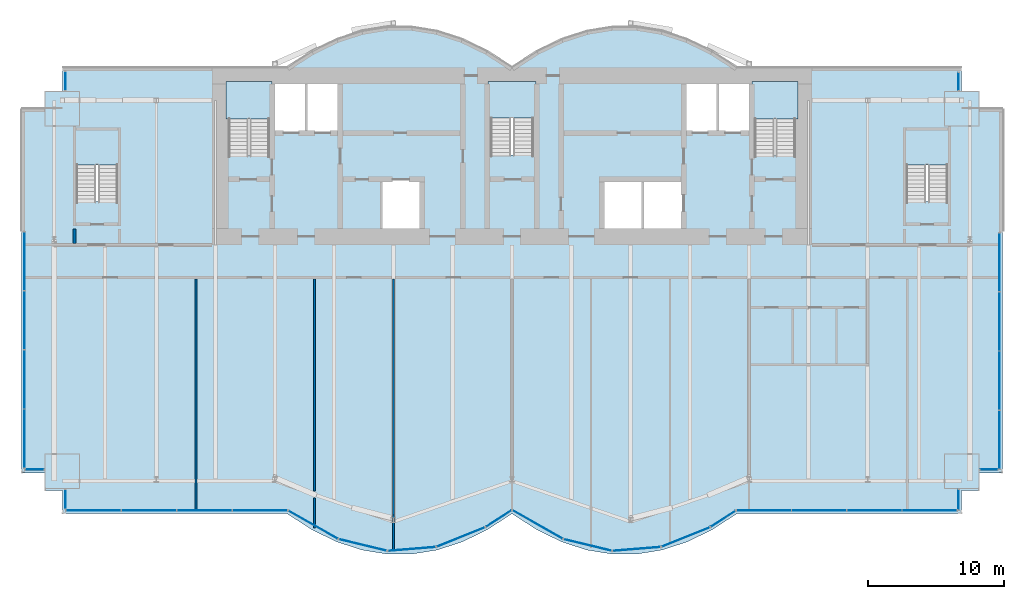
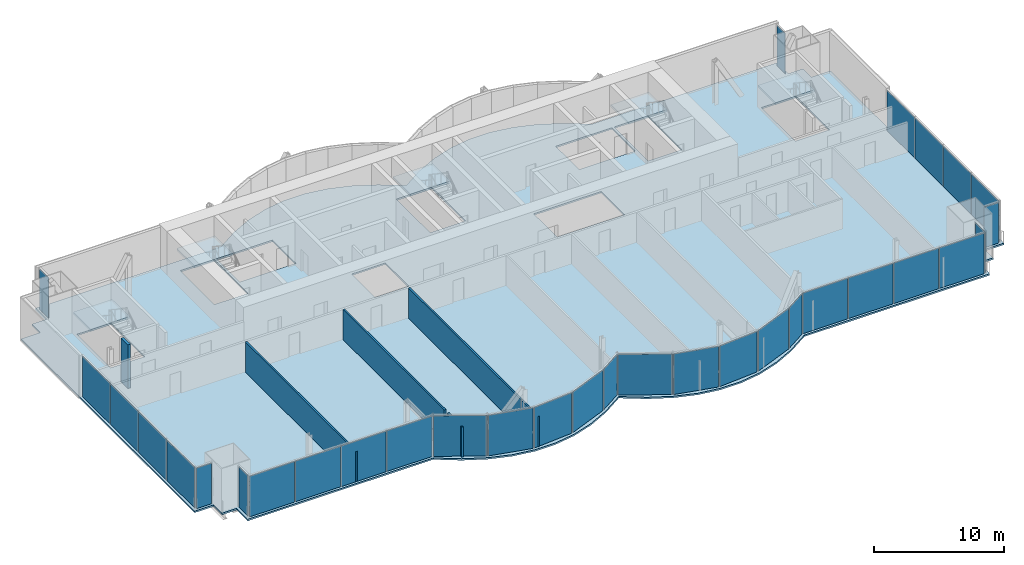
# One storey, part 13 of 20: 32 plates, 6 slabs, 6 walls, 17 elements without a shape of their own.
"""IFC4 building model written with IfcOpenShell, lengths in metres."""

from ifc_helpers import new_model, si_unit, direction, frame, frame_2d, origin, origin_2d, place, context, subcontext, project, spatial, polyline, rectangle, outline, extrude, material, layer, layer_set, type_object, element, aggregate, save


model = new_model("IFC4")

# Units and contexts
model_context = context("Model", 3, precision=1e-05, world=origin(), true_north=direction((0.0, 1.0)))
body_context = subcontext(model_context, "Body", "Model", "MODEL_VIEW")
ifc_project = project(units=[si_unit("LENGTHUNIT", "METRE"), si_unit("AREAUNIT", "SQUARE_METRE"), si_unit("VOLUMEUNIT", "CUBIC_METRE"), si_unit("PLANEANGLEUNIT", "RADIAN"), si_unit("MASSUNIT", "GRAM", prefix="KILO")], contexts=[model_context])

# Site, building, storey
site_placement = place(None, origin())
site = spatial("IfcSite", under=ifc_project, at=site_placement, CompositionType="ELEMENT")
building_placement = place(site_placement, origin())
building = spatial("IfcBuilding", under=site, at=building_placement, Name="Bicima Exchange Tower", CompositionType="ELEMENT")
storey_placement = place(building_placement, frame((0.0, 0.0, 199.10009765625)))
storey = spatial("IfcBuildingStorey", under=building, at=storey_placement, Name="L44", CompositionType="ELEMENT", Elevation=199.10009765625)

# Slab
ifc_material_1 = material(Name="Concrete C40/50", Category="concrete")
ifc_layer_1 = layer(ifc_material_1, 0.14990234375)
ifc_layer_set_1 = layer_set([ifc_layer_1], Name="Concrete C40/50")
slab_type_1 = type_object("IfcSlabType", Name="Composite floor slab 150", PredefinedType="FLOOR", material=ifc_layer_set_1)
slab_1_placement = place(storey_placement, frame((0.0, 0.0, -0.150146484375)))
element("IfcSlab", 1, at=slab_1_placement, inside=storey, type_object=slab_type_1, Name="Floor slab", PredefinedType="FLOOR", context=body_context, shape_type="SweptSolid", body=[
    extrude(outline(polyline([(-36.0, -29.72802734375), (-36.0, -3.0), (-34.300048828125, -3.0), (-34.300048828125, -1.699951171875), (-33.0, -1.699951171875), (-33.0, 0.0), (-16.5, 0.0), (-14.666748046875, 1.185302734375), (-12.833251953125, 2.07421875), (-11.0, 2.666748046875), (-9.166748046875, 2.962890625), (-7.333251953125, 2.962890625), (-5.5, 2.666748046875), (-3.666748046875, 2.07421875), (-1.833251953125, 1.185302734375), (0.0, 0.0), (1.833251953125, 1.185302734375), (3.666748046875, 2.07421875), (5.5, 2.666748046875), (7.333251953125, 2.962890625), (9.166748046875, 2.962890625), (11.0, 2.666748046875), (12.833251953125, 2.07421875), (14.666748046875, 1.185302734375), (16.5, 0.0), (33.0, 0.0), (33.0, -1.699951171875), (34.300048828125, -1.699951171875), (34.300048828125, -3.0), (36.0, -3.0), (36.0, -29.72802734375), (34.300048828125, -29.72802734375), (34.300048828125, -31.028076171875), (33.0, -31.028076171875), (33.0, -32.72802734375), (16.5, -32.72802734375), (14.666748046875, -33.9130859375), (12.833251953125, -34.802001953125), (11.0, -35.394775390625), (9.166748046875, -35.69091796875), (7.333251953125, -35.69091796875), (5.5, -35.394775390625), (3.666748046875, -34.802001953125), (1.833251953125, -33.9130859375), (0.0, -32.72802734375), (-1.833251953125, -33.9130859375), (-3.666748046875, -34.802001953125), (-5.5, -35.394775390625), (-7.333251953125, -35.69091796875), (-9.166748046875, -35.69091796875), (-11.0, -35.394775390625), (-12.833251953125, -34.802001953125), (-14.666748046875, -33.9130859375), (-16.5, -32.72802734375), (-33.0, -32.72802734375), (-33.0, -31.028076171875), (-34.300048828125, -31.028076171875), (-34.300048828125, -29.72802734375), (-36.0, -29.72802734375)]), holes=[polyline([(-6.60009765625, -11.800048828125), (-6.60009765625, -8.199951171875), (-9.60009765625, -8.199951171875), (-9.60009765625, -11.800048828125), (-6.60009765625, -11.800048828125)]), polyline([(-31.97509765625, -9.824951171875), (-28.925048828125, -9.824951171875), (-28.925048828125, -4.625), (-31.97509765625, -4.625), (-31.97509765625, -9.824951171875)]), polyline([(-20.800048828125, -6.449951171875), (-17.800048828125, -6.449951171875), (-17.800048828125, -1.199951171875), (-20.800048828125, -1.199951171875), (-20.800048828125, -6.449951171875)]), polyline([(1.574951171875, -6.39990234375), (1.574951171875, -1.199951171875), (-1.574951171875, -1.199951171875), (-1.574951171875, -6.39990234375), (1.574951171875, -6.39990234375)]), polyline([(-12.60009765625, -4.800048828125), (-12.60009765625, -1.199951171875), (-15.10009765625, -1.199951171875), (-17.60009765625, -1.199951171875), (-17.60009765625, -4.800048828125), (-15.10009765625, -4.800048828125), (-12.60009765625, -4.800048828125)]), polyline([(12.60009765625, -8.199951171875), (9.60009765625, -8.199951171875), (6.60009765625, -8.199951171875), (6.60009765625, -11.800048828125), (9.60009765625, -11.800048828125), (12.60009765625, -11.800048828125), (12.60009765625, -8.199951171875)]), polyline([(28.925048828125, -9.824951171875), (31.97509765625, -9.824951171875), (31.97509765625, -4.625), (28.925048828125, -4.625), (28.925048828125, -9.824951171875)]), polyline([(20.800048828125, -6.449951171875), (20.800048828125, -1.199951171875), (17.800048828125, -1.199951171875), (17.800048828125, -6.449951171875), (20.800048828125, -6.449951171875)]), polyline([(17.60009765625, -4.800048828125), (17.60009765625, -1.199951171875), (15.10009765625, -1.199951171875), (12.60009765625, -1.199951171875), (12.60009765625, -4.800048828125), (15.10009765625, -4.800048828125), (17.60009765625, -4.800048828125)])]), origin(), (0.0, 0.0, 1.0), 0.150146484375),
])

# Curtain wall, plates
ifc_material_2 = material(Name="Anodised bronze aluminium", Category="aluminium")
curtain_wall_type_1 = type_object("IfcCurtainWallType", Name="End face glass wall", PredefinedType="NOTDEFINED", material=ifc_material_2)
curtain_wall_1_placement = place(storey_placement, origin())
curtain_wall_1 = element("IfcCurtainWall", 2, at=curtain_wall_1_placement, inside=storey, type_object=curtain_wall_type_1, Name="End face glass wall L44 run 2", PredefinedType="NOTDEFINED")
ifc_material_3 = material(Name="Bronze tinted glass", Category="glass")
ifc_layer_2 = layer(ifc_material_3, 0.031982421875)
ifc_layer_set_2 = layer_set([ifc_layer_2], Name="Bronze tinted glass")
plate_type_1 = type_object("IfcPlateType", Name="End face glass wall glass panel 32", PredefinedType="CURTAIN_PANEL", material=ifc_layer_set_2)
plate_1_placement = place(storey_placement, frame((-35.77001953125, -14.19970703125, -0.000244140625), z_axis=(0.0, 0.0, 1.0), x_axis=(0.0, -1.0, 0.0)))
plate_1 = element("IfcPlate", 3, at=plate_1_placement, type_object=plate_type_1, Name="End face glass wall panel 1.1", PredefinedType="CURTAIN_PANEL", context=body_context, shape_type="SweptSolid", body=[
    extrude(rectangle(XDim=4.279541015625, YDim=0.031982421875, at=origin_2d()), origin(), (0.0, 0.0, 1.0), 3.81005859375),
])
plate_2_placement = place(storey_placement, frame((-35.77001953125, -18.539306640625, -0.000244140625), z_axis=(0.0, 0.0, 1.0), x_axis=(0.0, -1.0, 0.0)))
plate_2 = element("IfcPlate", 4, at=plate_2_placement, type_object=plate_type_1, Name="End face glass wall panel 2.1", PredefinedType="CURTAIN_PANEL", context=body_context, shape_type="SweptSolid", body=[
    extrude(rectangle(XDim=4.279541015625, YDim=0.031982421875, at=origin_2d()), origin(), (0.0, 0.0, 1.0), 3.81005859375),
])

curtain_wall_2_placement = place(storey_placement, origin())
curtain_wall_2 = element("IfcCurtainWall", 5, at=curtain_wall_2_placement, inside=storey, type_object=curtain_wall_type_1, Name="End face glass wall L44 run 19", PredefinedType="NOTDEFINED")
plate_3_placement = place(storey_placement, frame((35.77001953125, -18.619384765625, -0.000244140625), z_axis=(0.0, 0.0, 1.0), x_axis=(0.0, 1.0, 0.0)))
plate_3 = element("IfcPlate", 6, at=plate_3_placement, type_object=plate_type_1, Name="End face glass wall panel 3.1", PredefinedType="CURTAIN_PANEL", context=body_context, shape_type="SweptSolid", body=[
    extrude(rectangle(XDim=4.279541015625, YDim=0.031982421875, at=origin_2d()), origin(), (0.0, 0.0, 1.0), 3.81005859375),
])
plate_4_placement = place(storey_placement, frame((35.77001953125, -14.27978515625, -0.000244140625), z_axis=(0.0, 0.0, 1.0), x_axis=(0.0, 1.0, 0.0)))
plate_4 = element("IfcPlate", 7, at=plate_4_placement, type_object=plate_type_1, Name="End face glass wall panel 4.1", PredefinedType="CURTAIN_PANEL", context=body_context, shape_type="SweptSolid", body=[
    extrude(rectangle(XDim=4.279541015625, YDim=0.031982421875, at=origin_2d()), origin(), (0.0, 0.0, 1.0), 3.81005859375),
])

# Plate
ifc_material_4 = material(Name="Bronze anodised aluminium", Category="aluminium")
ifc_layer_3 = layer(ifc_material_4, 0.031982421875)
ifc_layer_set_3 = layer_set([ifc_layer_3], Name="Bronze anodised aluminium")
plate_type_2 = type_object("IfcPlateType", Name="End face glass wall spandrel panel 32", PredefinedType="CURTAIN_PANEL", material=ifc_layer_set_3)
plate_5_placement = place(storey_placement, frame((-35.77001953125, -22.87890625, -0.000244140625), z_axis=(0.0, 0.0, 1.0), x_axis=(0.0, -1.0, 0.0)))
plate_5 = element("IfcPlate", 8, at=plate_5_placement, type_object=plate_type_2, Name="End face spandrel wall panel 3.1", PredefinedType="CURTAIN_PANEL", context=body_context, shape_type="SweptSolid", body=[
    extrude(rectangle(XDim=4.279541015625, YDim=0.031982421875, at=origin_2d()), origin(), (0.0, 0.0, 1.0), 3.81005859375),
])

plate_6_placement = place(storey_placement, frame((-35.77001953125, -27.21826171875, -0.000244140625), z_axis=(0.0, 0.0, 1.0), x_axis=(0.0, -1.0, 0.0)))
plate_6 = element("IfcPlate", 9, at=plate_6_placement, type_object=plate_type_2, Name="End face spandrel wall panel 4.1", PredefinedType="CURTAIN_PANEL", context=body_context, shape_type="SweptSolid", body=[
    extrude(rectangle(XDim=4.279541015625, YDim=0.031982421875, at=origin_2d()), origin(), (0.0, 0.0, 1.0), 3.81005859375),
])

aggregate(curtain_wall_1, [plate_1, plate_2, plate_5, plate_6])

plate_7_placement = place(storey_placement, frame((35.77001953125, -27.29833984375, -0.000244140625), z_axis=(0.0, 0.0, 1.0), x_axis=(0.0, 1.0, 0.0)))
plate_7 = element("IfcPlate", 10, at=plate_7_placement, type_object=plate_type_2, Name="End face spandrel wall panel 1.1", PredefinedType="CURTAIN_PANEL", context=body_context, shape_type="SweptSolid", body=[
    extrude(rectangle(XDim=4.279541015625, YDim=0.031982421875, at=origin_2d()), origin(), (0.0, 0.0, 1.0), 3.81005859375),
])

plate_8_placement = place(storey_placement, frame((35.77001953125, -22.958740234375, -0.000244140625), z_axis=(0.0, 0.0, 1.0), x_axis=(0.0, 1.0, 0.0)))
plate_8 = element("IfcPlate", 11, at=plate_8_placement, type_object=plate_type_2, Name="End face spandrel wall panel 2.1", PredefinedType="CURTAIN_PANEL", context=body_context, shape_type="SweptSolid", body=[
    extrude(rectangle(XDim=4.279541015625, YDim=0.031982421875, at=origin_2d()), origin(), (0.0, 0.0, 1.0), 3.81005859375),
])

aggregate(curtain_wall_2, [plate_7, plate_8, plate_3, plate_4])

# Curtain wall, plate
curtain_wall_type_2 = type_object("IfcCurtainWallType", Name="Front glass wall", PredefinedType="NOTDEFINED", material=ifc_material_2)
curtain_wall_3_placement = place(storey_placement, origin())
curtain_wall_3 = element("IfcCurtainWall", 12, at=curtain_wall_3_placement, inside=storey, type_object=curtain_wall_type_2, Name="Front glass wall L44 run 1", PredefinedType="NOTDEFINED")
ifc_layer_4 = layer(ifc_material_3, 0.031982421875)
ifc_layer_set_4 = layer_set([ifc_layer_4], Name="Bronze tinted glass")
plate_type_3 = type_object("IfcPlateType", Name="Front glass wall glass panel 32", PredefinedType="CURTAIN_PANEL", material=ifc_layer_set_4)
plate_9_placement = place(storey_placement, frame((-32.77001953125, -0.965087890625, -0.000244140625), z_axis=(0.0, 0.0, 1.0), x_axis=(0.0, -1.0, 0.0)))
plate_9 = element("IfcPlate", 13, at=plate_9_placement, type_object=plate_type_3, Name="Front glass wall panel 1.1", PredefinedType="CURTAIN_PANEL", context=body_context, shape_type="SweptSolid", body=[
    extrude(rectangle(XDim=1.35009765625, YDim=0.031982421875, at=origin_2d()), origin(), (0.0, 0.0, 1.0), 3.81005859375),
])
aggregate(curtain_wall_3, [plate_9])

curtain_wall_4_placement = place(storey_placement, origin())
curtain_wall_4 = element("IfcCurtainWall", 14, at=curtain_wall_4_placement, inside=storey, type_object=curtain_wall_type_2, Name="Front glass wall L44 run 3", PredefinedType="NOTDEFINED")
plate_10_placement = place(storey_placement, frame((-35.034912109375, -29.498046875, -0.000244140625), z_axis=(0.0, 0.0, 1.0), x_axis=(1.0, 0.0, 0.0)))
plate_10 = element("IfcPlate", 15, at=plate_10_placement, type_object=plate_type_3, Name="Front glass wall panel 1.1", PredefinedType="CURTAIN_PANEL", context=body_context, shape_type="SweptSolid", body=[
    extrude(rectangle(XDim=1.35009765625, YDim=0.031982421875, at=origin_2d()), origin(), (0.0, 0.0, 1.0), 3.81005859375),
])
aggregate(curtain_wall_4, [plate_10])

curtain_wall_5_placement = place(storey_placement, origin())
curtain_wall_5 = element("IfcCurtainWall", 16, at=curtain_wall_5_placement, inside=storey, type_object=curtain_wall_type_2, Name="Front glass wall L44 run 4", PredefinedType="NOTDEFINED")
plate_11_placement = place(storey_placement, frame((-32.77001953125, -31.662109375, -0.000244140625), z_axis=(0.0, 0.0, 1.0), x_axis=(0.0, -1.0, 0.0)))
plate_11 = element("IfcPlate", 17, at=plate_11_placement, type_object=plate_type_3, Name="Front glass wall panel 1.1", PredefinedType="CURTAIN_PANEL", context=body_context, shape_type="SweptSolid", body=[
    extrude(rectangle(XDim=1.39208984375, YDim=0.031982421875, at=origin_2d()), origin(), (0.0, 0.0, 1.0), 3.81005859375),
])
aggregate(curtain_wall_5, [plate_11])

# Curtain wall, plates
curtain_wall_6_placement = place(storey_placement, origin())
curtain_wall_6 = element("IfcCurtainWall", 18, at=curtain_wall_6_placement, inside=storey, type_object=curtain_wall_type_2, Name="Front glass wall L44 run 5", PredefinedType="NOTDEFINED")
plate_12_placement = place(storey_placement, frame((-30.705322265625, -32.498046875, -0.000244140625), z_axis=(0.0, 0.0, 1.0), x_axis=(1.0, 0.0, 0.0)))
plate_12 = element("IfcPlate", 19, at=plate_12_placement, type_object=plate_type_3, Name="Front glass wall panel 1.1", PredefinedType="CURTAIN_PANEL", context=body_context, shape_type="SweptSolid", body=[
    extrude(rectangle(XDim=4.009521484375, YDim=0.031982421875, at=origin_2d()), origin(), (0.0, 0.0, 1.0), 3.81005859375),
])
plate_13_placement = place(storey_placement, frame((-22.56640625, -32.498046875, -0.000244140625), z_axis=(0.0, 0.0, 1.0), x_axis=(1.0, 0.0, 0.0)))
plate_13 = element("IfcPlate", 20, at=plate_13_placement, type_object=plate_type_3, Name="Front glass wall panel 3.1", PredefinedType="CURTAIN_PANEL", context=body_context, shape_type="SweptSolid", body=[
    extrude(rectangle(XDim=4.009521484375, YDim=0.031982421875, at=origin_2d()), origin(), (0.0, 0.0, 1.0), 3.81005859375),
])
plate_14_placement = place(storey_placement, frame((-18.496826171875, -32.498046875, -0.000244140625), z_axis=(0.0, 0.0, 1.0), x_axis=(1.0, 0.0, 0.0)))
plate_14 = element("IfcPlate", 21, at=plate_14_placement, type_object=plate_type_3, Name="Front glass wall panel 4.1", PredefinedType="CURTAIN_PANEL", context=body_context, shape_type="SweptSolid", body=[
    extrude(rectangle(XDim=4.009521484375, YDim=0.031982421875, at=origin_2d()), origin(), (0.0, 0.0, 1.0), 3.81005859375),
])

curtain_wall_7_placement = place(storey_placement, origin())
curtain_wall_7 = element("IfcCurtainWall", 22, at=curtain_wall_7_placement, inside=storey, type_object=curtain_wall_type_2, Name="Front glass wall L44 run 6", PredefinedType="NOTDEFINED")
plate_15_placement = place(storey_placement, frame((-14.589599609375, -33.543212890625, -0.000244140625), z_axis=(0.0, 0.0, 1.0), x_axis=(0.869805110681, -0.493395449343, 0.0)))
plate_15 = element("IfcPlate", 23, at=plate_15_placement, type_object=plate_type_3, Name="Front glass wall panel 1.1", PredefinedType="CURTAIN_PANEL", context=body_context, shape_type="SweptSolid", body=[
    extrude(rectangle(XDim=4.1162109375, YDim=0.031982421875, at=origin_2d()), origin(), (0.0, 0.0, 1.0), 3.81005859375),
])
plate_16_placement = place(storey_placement, frame((-10.94775390625, -35.024658203125, -0.000244140625), z_axis=(0.0, 0.0, 1.0), x_axis=(0.971830343553, -0.235681529503, 0.0)))
plate_16 = element("IfcPlate", 24, at=plate_16_placement, type_object=plate_type_3, Name="Front glass wall panel 1.1", PredefinedType="CURTAIN_PANEL", context=body_context, shape_type="SweptSolid", body=[
    extrude(rectangle(XDim=3.583251953125, YDim=0.031982421875, at=origin_2d()), origin(), (0.0, 0.0, 1.0), 3.81005859375),
])
plate_17_placement = place(storey_placement, frame((-3.750244140625, -34.44140625, -0.000244140625), z_axis=(0.0, 0.0, 1.0), x_axis=(0.92714396679, 0.374705304, 0.0)))
plate_17 = element("IfcPlate", 25, at=plate_17_placement, type_object=plate_type_3, Name="Front glass wall panel 1.1", PredefinedType="CURTAIN_PANEL", context=body_context, shape_type="SweptSolid", body=[
    extrude(rectangle(XDim=3.771240234375, YDim=0.031982421875, at=origin_2d()), origin(), (0.0, 0.0, 1.0), 3.81005859375),
])
plate_18_placement = place(storey_placement, frame((-0.97314453125, -33.083251953125, -0.000244140625), z_axis=(0.0, 0.0, 1.0), x_axis=(0.839798994301, 0.542897457326, 0.0)))
plate_18 = element("IfcPlate", 26, at=plate_18_placement, type_object=plate_type_3, Name="Front glass wall panel 1.1", PredefinedType="CURTAIN_PANEL", context=body_context, shape_type="SweptSolid", body=[
    extrude(rectangle(XDim=2.197509765625, YDim=0.031982421875, at=origin_2d()), origin(), (0.0, 0.0, 1.0), 3.81005859375),
])

curtain_wall_8_placement = place(storey_placement, origin())
curtain_wall_8 = element("IfcCurtainWall", 27, at=curtain_wall_8_placement, inside=storey, type_object=curtain_wall_type_2, Name="Front glass wall L44 run 11", PredefinedType="NOTDEFINED")
plate_19_placement = place(storey_placement, frame((1.876220703125, -33.521240234375, -0.000244140625), z_axis=(0.0, 0.0, 1.0), x_axis=(0.869274147378, -0.494330311331, 0.0)))
plate_19 = element("IfcPlate", 28, at=plate_19_placement, type_object=plate_type_3, Name="Front glass wall panel 1.1", PredefinedType="CURTAIN_PANEL", context=body_context, shape_type="SweptSolid", body=[
    extrude(rectangle(XDim=4.197021484375, YDim=0.031982421875, at=origin_2d()), origin(), (0.0, 0.0, 1.0), 3.81005859375),
])
plate_20_placement = place(storey_placement, frame((12.749755859375, -34.44140625, -0.000244140625), z_axis=(0.0, 0.0, 1.0), x_axis=(0.92714396679, 0.374705304, 0.0)))
plate_20 = element("IfcPlate", 29, at=plate_20_placement, type_object=plate_type_3, Name="Front glass wall panel 1.1", PredefinedType="CURTAIN_PANEL", context=body_context, shape_type="SweptSolid", body=[
    extrude(rectangle(XDim=3.771240234375, YDim=0.031982421875, at=origin_2d()), origin(), (0.0, 0.0, 1.0), 3.81005859375),
])
plate_21_placement = place(storey_placement, frame((15.492919921875, -33.105224609375, -0.000244140625), z_axis=(0.0, 0.0, 1.0), x_axis=(0.839791413941, 0.542909183079, 0.0)))
plate_21 = element("IfcPlate", 30, at=plate_21_placement, type_object=plate_type_3, Name="Front glass wall panel 1.1", PredefinedType="CURTAIN_PANEL", context=body_context, shape_type="SweptSolid", body=[
    extrude(rectangle(XDim=2.11669921875, YDim=0.031982421875, at=origin_2d()), origin(), (0.0, 0.0, 1.0), 3.81005859375),
])

curtain_wall_9_placement = place(storey_placement, origin())
curtain_wall_9 = element("IfcCurtainWall", 31, at=curtain_wall_9_placement, inside=storey, type_object=curtain_wall_type_2, Name="Front glass wall L44 run 16", PredefinedType="NOTDEFINED")
plate_22_placement = place(storey_placement, frame((18.48681640625, -32.498046875, -0.000244140625), z_axis=(0.0, 0.0, 1.0), x_axis=(1.0, 0.0, 0.0)))
plate_22 = element("IfcPlate", 32, at=plate_22_placement, type_object=plate_type_3, Name="Front glass wall panel 1.1", PredefinedType="CURTAIN_PANEL", context=body_context, shape_type="SweptSolid", body=[
    extrude(rectangle(XDim=3.989501953125, YDim=0.031982421875, at=origin_2d()), origin(), (0.0, 0.0, 1.0), 3.81005859375),
])
plate_23_placement = place(storey_placement, frame((22.536376953125, -32.498046875, -0.000244140625), z_axis=(0.0, 0.0, 1.0), x_axis=(1.0, 0.0, 0.0)))
plate_23 = element("IfcPlate", 33, at=plate_23_placement, type_object=plate_type_3, Name="Front glass wall panel 2.1", PredefinedType="CURTAIN_PANEL", context=body_context, shape_type="SweptSolid", body=[
    extrude(rectangle(XDim=3.989501953125, YDim=0.031982421875, at=origin_2d()), origin(), (0.0, 0.0, 1.0), 3.81005859375),
])
plate_24_placement = place(storey_placement, frame((30.63525390625, -32.498046875, -0.000244140625), z_axis=(0.0, 0.0, 1.0), x_axis=(1.0, 0.0, 0.0)))
plate_24 = element("IfcPlate", 34, at=plate_24_placement, type_object=plate_type_3, Name="Front glass wall panel 4.1", PredefinedType="CURTAIN_PANEL", context=body_context, shape_type="SweptSolid", body=[
    extrude(rectangle(XDim=3.989501953125, YDim=0.031982421875, at=origin_2d()), origin(), (0.0, 0.0, 1.0), 3.81005859375),
])

# Curtain wall, plate
curtain_wall_10_placement = place(storey_placement, origin())
curtain_wall_10 = element("IfcCurtainWall", 35, at=curtain_wall_10_placement, inside=storey, type_object=curtain_wall_type_2, Name="Front glass wall L44 run 17", PredefinedType="NOTDEFINED")
plate_25_placement = place(storey_placement, frame((32.77001953125, -31.701904296875, -0.000244140625), z_axis=(0.0, 0.0, 1.0), x_axis=(0.0, 1.0, 0.0)))
plate_25 = element("IfcPlate", 36, at=plate_25_placement, type_object=plate_type_3, Name="Front glass wall panel 1.1", PredefinedType="CURTAIN_PANEL", context=body_context, shape_type="SweptSolid", body=[
    extrude(rectangle(XDim=1.471923828125, YDim=0.031982421875, at=origin_2d()), origin(), (0.0, 0.0, 1.0), 3.81005859375),
])
aggregate(curtain_wall_10, [plate_25])

curtain_wall_11_placement = place(storey_placement, origin())
curtain_wall_11 = element("IfcCurtainWall", 37, at=curtain_wall_11_placement, inside=storey, type_object=curtain_wall_type_2, Name="Front glass wall L44 run 18", PredefinedType="NOTDEFINED")
plate_26_placement = place(storey_placement, frame((34.9951171875, -29.498046875, -0.000244140625), z_axis=(0.0, 0.0, 1.0), x_axis=(1.0, 0.0, 0.0)))
plate_26 = element("IfcPlate", 38, at=plate_26_placement, type_object=plate_type_3, Name="Front glass wall panel 1.1", PredefinedType="CURTAIN_PANEL", context=body_context, shape_type="SweptSolid", body=[
    extrude(rectangle(XDim=1.27001953125, YDim=0.031982421875, at=origin_2d()), origin(), (0.0, 0.0, 1.0), 3.81005859375),
])
aggregate(curtain_wall_11, [plate_26])

curtain_wall_12_placement = place(storey_placement, origin())
curtain_wall_12 = element("IfcCurtainWall", 39, at=curtain_wall_12_placement, inside=storey, type_object=curtain_wall_type_2, Name="Front glass wall L44 run 20", PredefinedType="NOTDEFINED")
plate_27_placement = place(storey_placement, frame((32.77001953125, -1.0048828125, -0.000244140625), z_axis=(0.0, 0.0, 1.0), x_axis=(0.0, 1.0, 0.0)))
plate_27 = element("IfcPlate", 40, at=plate_27_placement, type_object=plate_type_3, Name="Front glass wall panel 1.1", PredefinedType="CURTAIN_PANEL", context=body_context, shape_type="SweptSolid", body=[
    extrude(rectangle(XDim=1.27001953125, YDim=0.031982421875, at=origin_2d()), origin(), (0.0, 0.0, 1.0), 3.81005859375),
])
aggregate(curtain_wall_12, [plate_27])

# Plate
ifc_layer_5 = layer(ifc_material_4, 0.031982421875)
ifc_layer_set_5 = layer_set([ifc_layer_5], Name="Bronze anodised aluminium")
plate_type_4 = type_object("IfcPlateType", Name="Front glass wall spandrel panel 32", PredefinedType="CURTAIN_PANEL", material=ifc_layer_set_5)
plate_28_placement = place(storey_placement, frame((-26.6357421875, -32.498046875, -0.000244140625), z_axis=(0.0, 0.0, 1.0), x_axis=(1.0, 0.0, 0.0)))
plate_28 = element("IfcPlate", 41, at=plate_28_placement, type_object=plate_type_4, Name="Front spandrel wall panel 2.1", PredefinedType="CURTAIN_PANEL", context=body_context, shape_type="SweptSolid", body=[
    extrude(rectangle(XDim=4.009521484375, YDim=0.031982421875, at=origin_2d()), origin(), (0.0, 0.0, 1.0), 3.81005859375),
])

aggregate(curtain_wall_6, [plate_12, plate_28, plate_13, plate_14])

plate_29_placement = place(storey_placement, frame((-7.35107421875, -35.315673828125, -0.000244140625), z_axis=(0.0, 0.0, 1.0), x_axis=(0.99674744821, 0.080588612633, 0.0)))
plate_29 = element("IfcPlate", 42, at=plate_29_placement, type_object=plate_type_4, Name="Front spandrel wall panel 1.1", PredefinedType="CURTAIN_PANEL", context=body_context, shape_type="SweptSolid", body=[
    extrude(rectangle(XDim=3.486083984375, YDim=0.031982421875, at=origin_2d()), origin(), (0.0, 0.0, 1.0), 3.81005859375),
])

aggregate(curtain_wall_7, [plate_15, plate_16, plate_29, plate_17, plate_18])

plate_30_placement = place(storey_placement, frame((5.55224609375, -35.024658203125, -0.000244140625), z_axis=(0.0, 0.0, 1.0), x_axis=(0.971830343553, -0.235681529503, 0.0)))
plate_30 = element("IfcPlate", 43, at=plate_30_placement, type_object=plate_type_4, Name="Front spandrel wall panel 1.1", PredefinedType="CURTAIN_PANEL", context=body_context, shape_type="SweptSolid", body=[
    extrude(rectangle(XDim=3.583251953125, YDim=0.031982421875, at=origin_2d()), origin(), (0.0, 0.0, 1.0), 3.81005859375),
])

plate_31_placement = place(storey_placement, frame((9.14892578125, -35.315673828125, -0.000244140625), z_axis=(0.0, 0.0, 1.0), x_axis=(0.99674744821, 0.080588612633, 0.0)))
plate_31 = element("IfcPlate", 44, at=plate_31_placement, type_object=plate_type_4, Name="Front spandrel wall panel 1.1", PredefinedType="CURTAIN_PANEL", context=body_context, shape_type="SweptSolid", body=[
    extrude(rectangle(XDim=3.486083984375, YDim=0.031982421875, at=origin_2d()), origin(), (0.0, 0.0, 1.0), 3.81005859375),
])

aggregate(curtain_wall_8, [plate_19, plate_30, plate_31, plate_20, plate_21])

plate_32_placement = place(storey_placement, frame((26.585693359375, -32.498046875, -0.000244140625), z_axis=(0.0, 0.0, 1.0), x_axis=(1.0, 0.0, 0.0)))
plate_32 = element("IfcPlate", 45, at=plate_32_placement, type_object=plate_type_4, Name="Front spandrel wall panel 3.1", PredefinedType="CURTAIN_PANEL", context=body_context, shape_type="SweptSolid", body=[
    extrude(rectangle(XDim=3.989501953125, YDim=0.031982421875, at=origin_2d()), origin(), (0.0, 0.0, 1.0), 3.81005859375),
])

aggregate(curtain_wall_9, [plate_22, plate_23, plate_32, plate_24])

# Stair, slab
ifc_material_5 = material(Name="Concrete C50/60", Category="concrete")
stair_type_1 = type_object("IfcStairType", Name="Exit stair", PredefinedType="HALF_TURN_STAIR", material=ifc_material_5)
stair_1_placement = place(storey_placement, origin())
stair_1 = element("IfcStair", 46, at=stair_1_placement, inside=storey, type_object=stair_type_1, Name="L44 West exit stair", PredefinedType="HALF_TURN_STAIR")
ifc_layer_6 = layer(ifc_material_5, 0.199951171875)
ifc_layer_set_6 = layer_set([ifc_layer_6], Name="Concrete C50/60")
slab_type_2 = type_object("IfcSlabType", Name="Stair landing slab", PredefinedType="LANDING", material=ifc_layer_set_6)
slab_2_placement = place(storey_placement, frame((0.0, 0.0, 1.849853515625)))
slab_2 = element("IfcSlab", 47, at=slab_2_placement, type_object=slab_type_2, Name="ST-W landing 1", PredefinedType="LANDING", context=body_context, shape_type="SweptSolid", body=[
    extrude(outline(polyline([(-17.60009765625, -3.75), (-17.60009765625, -1.0), (-21.0, -1.0), (-21.0, -3.75), (-17.60009765625, -3.75)])), origin(), (0.0, 0.0, 1.0), 0.199951171875),
])
aggregate(stair_1, [slab_2])

stair_type_2 = type_object("IfcStairType", Name="Exit stair 1500", PredefinedType="HALF_TURN_STAIR", material=ifc_material_5)
stair_2_placement = place(storey_placement, origin())
stair_2 = element("IfcStair", 48, at=stair_2_placement, inside=storey, type_object=stair_type_2, Name="L44 Central exit stair", PredefinedType="HALF_TURN_STAIR")
slab_3_placement = place(storey_placement, frame((0.0, 0.0, 1.849853515625)))
slab_3 = element("IfcSlab", 49, at=slab_3_placement, type_object=slab_type_2, Name="ST-C landing 1", PredefinedType="LANDING", context=body_context, shape_type="SweptSolid", body=[
    extrude(outline(polyline([(1.77490234375, -3.699951171875), (1.77490234375, -1.0), (-1.77490234375, -1.0), (-1.77490234375, -3.699951171875), (1.77490234375, -3.699951171875)])), origin(), (0.0, 0.0, 1.0), 0.199951171875),
])
aggregate(stair_2, [slab_3])

stair_3_placement = place(storey_placement, origin())
stair_3 = element("IfcStair", 50, at=stair_3_placement, inside=storey, type_object=stair_type_1, Name="L44 East exit stair", PredefinedType="HALF_TURN_STAIR")
slab_4_placement = place(storey_placement, frame((0.0, 0.0, 1.849853515625)))
slab_4 = element("IfcSlab", 51, at=slab_4_placement, type_object=slab_type_2, Name="ST-E landing 1", PredefinedType="LANDING", context=body_context, shape_type="SweptSolid", body=[
    extrude(outline(polyline([(21.0, -3.75), (21.0, -1.0), (17.60009765625, -1.0), (17.60009765625, -3.75), (21.0, -3.75)])), origin(), (0.0, 0.0, 1.0), 0.199951171875),
])
aggregate(stair_3, [slab_4])

stair_4_placement = place(storey_placement, origin())
stair_4 = element("IfcStair", 52, at=stair_4_placement, inside=storey, type_object=stair_type_1, Name="L44 West end exit stair", PredefinedType="HALF_TURN_STAIR")
slab_5_placement = place(storey_placement, frame((0.0, 0.0, 1.849853515625)))
slab_5 = element("IfcSlab", 53, at=slab_5_placement, type_object=slab_type_2, Name="ST-WW landing 1", PredefinedType="LANDING", context=body_context, shape_type="SweptSolid", body=[
    extrude(outline(polyline([(-28.72509765625, -7.125), (-28.72509765625, -4.425048828125), (-32.175048828125, -4.425048828125), (-32.175048828125, -7.125), (-28.72509765625, -7.125)])), origin(), (0.0, 0.0, 1.0), 0.199951171875),
])
aggregate(stair_4, [slab_5])

stair_5_placement = place(storey_placement, origin())
stair_5 = element("IfcStair", 54, at=stair_5_placement, inside=storey, type_object=stair_type_1, Name="L44 East end exit stair", PredefinedType="HALF_TURN_STAIR")
slab_6_placement = place(storey_placement, frame((0.0, 0.0, 1.849853515625)))
slab_6 = element("IfcSlab", 55, at=slab_6_placement, type_object=slab_type_2, Name="ST-EE landing 1", PredefinedType="LANDING", context=body_context, shape_type="SweptSolid", body=[
    extrude(outline(polyline([(32.175048828125, -7.125), (32.175048828125, -4.425048828125), (28.72509765625, -4.425048828125), (28.72509765625, -7.125), (32.175048828125, -7.125)])), origin(), (0.0, 0.0, 1.0), 0.199951171875),
])
aggregate(stair_5, [slab_6])

# Walls
ifc_material_6 = material(Name="Gypsum board partition")
ifc_layer_7 = layer(ifc_material_6, 0.14990234375)
ifc_layer_set_7 = layer_set([ifc_layer_7], Name="Gypsum board partition")
wall_type_1 = type_object("IfcWallType", Name="Gypsum partition 150", PredefinedType="PARTITIONING", material=ifc_layer_set_7)
wall_1_placement = place(storey_placement, frame((-23.199951171875, -32.52001953125, 0.0), z_axis=(0.0, 0.0, 1.0), x_axis=(0.0, 1.0, 0.0)))
element("IfcWall", 56, at=wall_1_placement, inside=storey, type_object=wall_type_1, Name="partition wall 12", PredefinedType="PARTITIONING", context=body_context, shape_type="SweptSolid", body=[
    extrude(rectangle(XDim=17.02001953125, YDim=0.14990234375, at=frame_2d((8.510009765625, 0.0))), origin(), (0.0, 0.0, 1.0), 2.840087890625),
])
wall_2_placement = place(storey_placement, frame((-14.5, -33.760009765625, 0.0), z_axis=(0.0, 0.0, 1.0), x_axis=(0.0, 1.0, 0.0)))
element("IfcWall", 57, at=wall_2_placement, inside=storey, type_object=wall_type_1, Name="partition wall 13", PredefinedType="PARTITIONING", context=body_context, shape_type="SweptSolid", body=[
    extrude(rectangle(XDim=2.189208984375, YDim=0.14990234375, at=frame_2d((1.0947265625, 0.0))), origin(), (0.0, 0.0, 1.0), 2.840087890625),
])
wall_3_placement = place(storey_placement, frame((-14.5, -31.0791015625, 0.0), z_axis=(0.0, 0.0, 1.0), x_axis=(0.0, 1.0, 0.0)))
element("IfcWall", 58, at=wall_3_placement, inside=storey, type_object=wall_type_1, Name="partition wall 14", PredefinedType="PARTITIONING", context=body_context, shape_type="SweptSolid", body=[
    extrude(rectangle(XDim=15.5791015625, YDim=0.14990234375, at=frame_2d((7.78955078125, 0.0))), origin(), (0.0, 0.0, 1.0), 2.840087890625),
])
wall_4_placement = place(storey_placement, frame((-8.699951171875, -35.47998046875, 0.0), z_axis=(0.0, 0.0, 1.0), x_axis=(0.0, 1.0, 0.0)))
element("IfcWall", 59, at=wall_4_placement, inside=storey, type_object=wall_type_1, Name="partition wall 15", PredefinedType="PARTITIONING", context=body_context, shape_type="SweptSolid", body=[
    extrude(rectangle(XDim=2.640869140625, YDim=0.14990234375, at=frame_2d((1.3203125, 0.0))), origin(), (0.0, 0.0, 1.0), 2.840087890625),
])
wall_5_placement = place(storey_placement, frame((-8.699951171875, -32.839111328125, 0.0), z_axis=(0.0, 0.0, 1.0), x_axis=(0.0, 1.0, 0.0)))
element("IfcWall", 60, at=wall_5_placement, inside=storey, type_object=wall_type_1, Name="partition wall 16", PredefinedType="PARTITIONING", context=body_context, shape_type="SweptSolid", body=[
    extrude(rectangle(XDim=17.339111328125, YDim=0.14990234375, at=frame_2d((8.66943359375, 0.0))), origin(), (0.0, 0.0, 1.0), 2.840087890625),
])
ifc_layer_8 = layer(ifc_material_5, 0.25)
ifc_layer_set_8 = layer_set([ifc_layer_8], Name="Concrete C50/60")
wall_type_2 = type_object("IfcWallType", Name="RC core wall 250 C50/60", PredefinedType="SHEAR", material=ifc_layer_set_8)
wall_6_placement = place(storey_placement, frame((-32.10009765625, -12.89990234375, 0.0), z_axis=(0.0, 0.0, 1.0), x_axis=(0.0, 1.0, 0.0)))
element("IfcWall", 61, at=wall_6_placement, inside=storey, type_object=wall_type_2, Name="stair wall 10", PredefinedType="SHEAR", context=body_context, shape_type="SweptSolid", body=[
    extrude(rectangle(XDim=1.0498046875, YDim=0.25, at=frame_2d((0.52490234375, 0.0))), origin(), (0.0, 0.0, 1.0), 4.099853515625),
])

save(model, "model.ifc")
